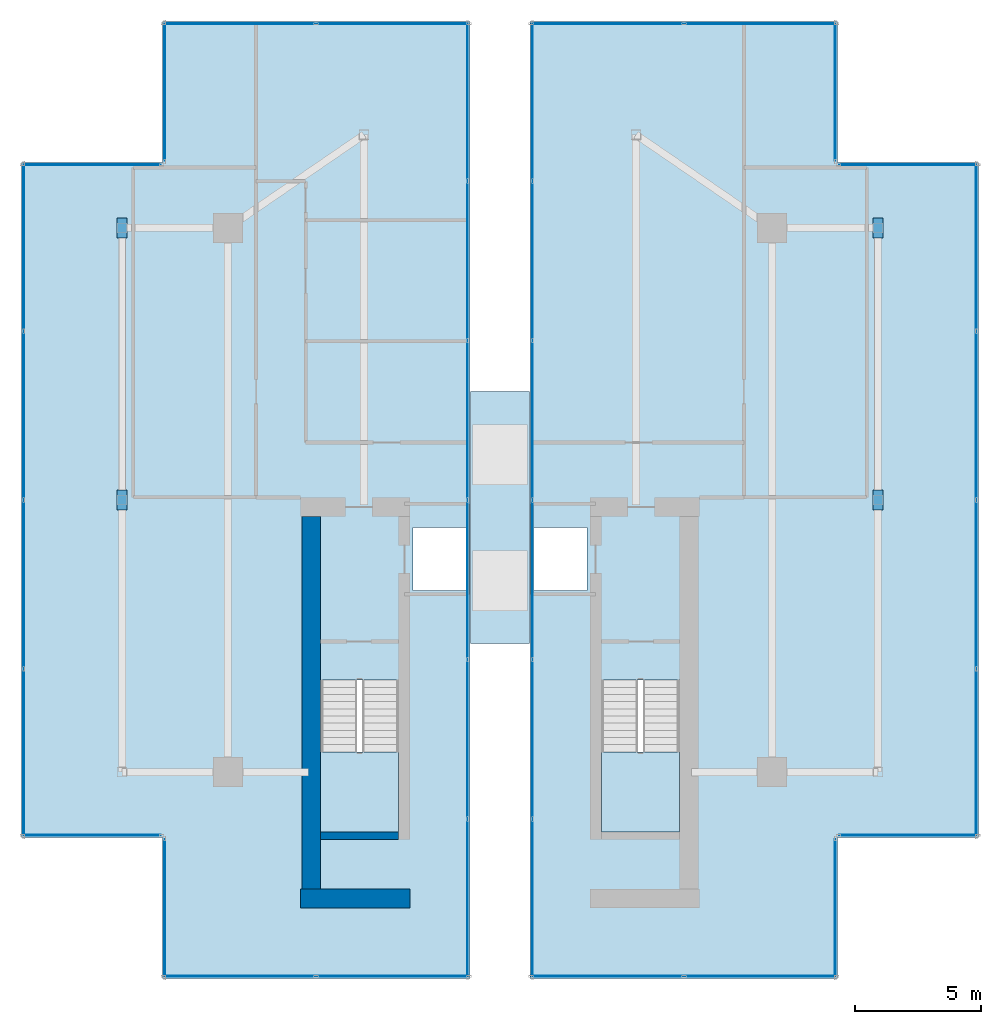
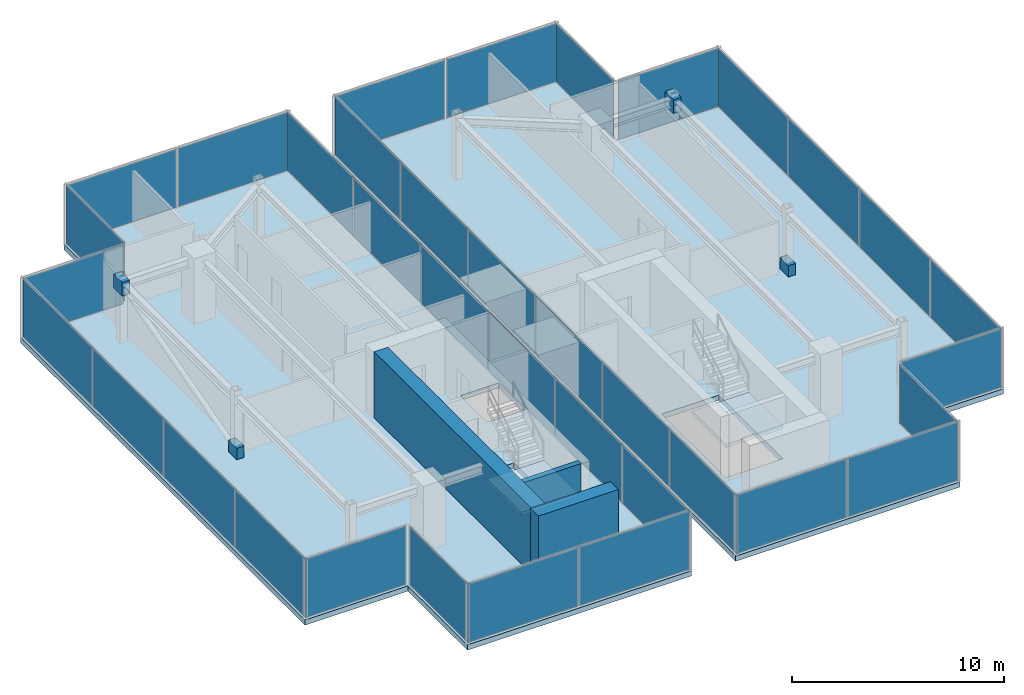
# One storey, part 22 of 25: 40 plates, 5 slabs, 3 walls, 18 elements without a shape of their own.
"""IFC4 building model written with IfcOpenShell, lengths in metres."""

from ifc_helpers import new_model, si_unit, direction, frame, frame_2d, origin, origin_2d, place, context, subcontext, project, spatial, polyline, rectangle, outline, extrude, source, transform, mapped, material, layer, layer_set, type_object, type_shapes, element, aggregate, save


model = new_model("IFC4")

# Units and contexts
model_context = context("Model", 3, precision=1e-05, world=origin(), true_north=direction((0.0, 1.0)))
body_context = subcontext(model_context, "Body", "Model", "MODEL_VIEW")
ifc_project = project(units=[si_unit("LENGTHUNIT", "METRE"), si_unit("AREAUNIT", "SQUARE_METRE"), si_unit("VOLUMEUNIT", "CUBIC_METRE"), si_unit("PLANEANGLEUNIT", "RADIAN"), si_unit("MASSUNIT", "GRAM", prefix="KILO")], contexts=[model_context])

# Site, building, storey
site_placement = place(None, origin())
site = spatial("IfcSite", under=ifc_project, at=site_placement, CompositionType="ELEMENT")
building_placement = place(site_placement, origin())
building = spatial("IfcBuilding", under=site, at=building_placement, Name="Krantzveldt Concourse Tower", CompositionType="ELEMENT")
storey_placement = place(building_placement, frame((0.0, 0.0, 367.050048828125)))
storey = spatial("IfcBuildingStorey", under=building, at=storey_placement, Name="L90", CompositionType="ELEMENT", Elevation=367.050048828125)

# Stair, slab
ifc_material_1 = material(Name="Precast concrete C40/50", Category="concrete")
stair_type = type_object("IfcStairType", Name="STR-CORE-DOGLEG", PredefinedType="HALF_TURN_STAIR", material=ifc_material_1)
stair_1_placement = place(storey_placement, origin())
stair_1 = element("IfcStair", 1, at=stair_1_placement, inside=storey, type_object=stair_type, Name="L90 Protected Escape Stair ST-1", PredefinedType="HALF_TURN_STAIR")
ifc_layer_1 = layer(ifc_material_1, 0.199951171875, Name="Precast concrete C40/50", Category="concrete")
ifc_layer_set_1 = layer_set([ifc_layer_1], Name="Precast concrete C40/50 (SL-LANDING-200)")
slab_type_1 = type_object("IfcSlabType", Name="SL-LANDING-200", PredefinedType="LANDING", material=ifc_layer_set_1)
slab_1_placement = place(storey_placement, frame((0.0, 0.0, 1.699951171875)))
slab_1 = element("IfcSlab", 2, at=slab_1_placement, type_object=slab_type_1, Name="ST-1 landing 1", PredefinedType="LANDING", context=body_context, shape_type="SweptSolid", body=[
    extrude(outline(polyline([(28.8798828125, 16.699951171875), (28.8798828125, 13.52001953125), (31.97998046875, 13.52001953125), (31.97998046875, 16.699951171875), (28.8798828125, 16.699951171875)])), origin(), (0.0, 0.0, 1.0), 0.199951171875),
])
aggregate(stair_1, [slab_1])

stair_2_placement = place(storey_placement, origin())
stair_2 = element("IfcStair", 3, at=stair_2_placement, inside=storey, type_object=stair_type, Name="L90 Protected Escape Stair ST-2", PredefinedType="HALF_TURN_STAIR")
slab_2_placement = place(storey_placement, frame((0.0, 0.0, 1.699951171875)))
slab_2 = element("IfcSlab", 4, at=slab_2_placement, type_object=slab_type_1, Name="ST-2 landing 1", PredefinedType="LANDING", context=body_context, shape_type="SweptSolid", body=[
    extrude(outline(polyline([(40.02001953125, 16.699951171875), (40.02001953125, 13.52001953125), (43.1201171875, 13.52001953125), (43.1201171875, 16.699951171875), (40.02001953125, 16.699951171875)])), origin(), (0.0, 0.0, 1.0), 0.199951171875),
])
aggregate(stair_2, [slab_2])

# Slabs
ifc_material_2 = material(Name="Concrete C40/50", Category="concrete")
ifc_layer_2 = layer(ifc_material_2, 0.300048828125, Name="Concrete C40/50", Category="concrete")
ifc_layer_set_2 = layer_set([ifc_layer_2], Name="Concrete C40/50 (SL-SL-CRN300)")
slab_type_2 = type_object("IfcSlabType", Name="SL-SL-CRN300", PredefinedType="FLOOR", material=ifc_layer_set_2)
slab_3_placement = place(storey_placement, frame((0.0, 0.0, -0.300048828125)))
element("IfcSlab", 5, at=slab_3_placement, inside=storey, type_object=slab_type_2, Name="SL-L90-WEST", PredefinedType="FLOOR", context=body_context, shape_type="SweptSolid", body=[
    extrude(outline(polyline([(22.60009765625, 7.699951171875), (34.800048828125, 7.699951171875), (34.800048828125, 45.699951171875), (22.60009765625, 45.699951171875), (22.60009765625, 40.10009765625), (17.0, 40.10009765625), (17.0, 13.300048828125), (22.60009765625, 13.300048828125), (22.60009765625, 7.699951171875)]), holes=[polyline([(28.8798828125, 19.547607421875), (28.8798828125, 13.52001953125), (31.97998046875, 13.52001953125), (31.97998046875, 19.547607421875), (28.8798828125, 19.547607421875)]), polyline([(32.550048828125, 23.10009765625), (34.64990234375, 23.10009765625), (34.64990234375, 25.60009765625), (32.550048828125, 25.60009765625), (32.550048828125, 23.10009765625)])]), origin(), (0.0, 0.0, 1.0), 0.300048828125),
])
slab_4_placement = place(storey_placement, frame((0.0, 0.0, -0.300048828125)))
element("IfcSlab", 6, at=slab_4_placement, inside=storey, type_object=slab_type_2, Name="SL-L90-EAST", PredefinedType="FLOOR", context=body_context, shape_type="SweptSolid", body=[
    extrude(outline(polyline([(37.199951171875, 7.699951171875), (49.39990234375, 7.699951171875), (49.39990234375, 13.300048828125), (55.0, 13.300048828125), (55.0, 40.10009765625), (49.39990234375, 40.10009765625), (49.39990234375, 45.699951171875), (37.199951171875, 45.699951171875), (37.199951171875, 7.699951171875)]), holes=[polyline([(40.02001953125, 19.547607421875), (40.02001953125, 13.52001953125), (43.1201171875, 13.52001953125), (43.1201171875, 19.547607421875), (40.02001953125, 19.547607421875)]), polyline([(37.35009765625, 23.10009765625), (39.449951171875, 23.10009765625), (39.449951171875, 25.60009765625), (37.35009765625, 25.60009765625), (37.35009765625, 23.10009765625)])]), origin(), (0.0, 0.0, 1.0), 0.300048828125),
])
slab_5_placement = place(storey_placement, frame((0.0, 0.0, -0.300048828125)))
element("IfcSlab", 7, at=slab_5_placement, inside=storey, type_object=slab_type_2, Name="SL-L90-TSLOT", PredefinedType="FLOOR", context=body_context, shape_type="SweptSolid", body=[
    extrude(outline(polyline([(34.820068359375, 21.0), (37.179931640625, 21.0), (37.179931640625, 31.0), (34.820068359375, 31.0), (34.820068359375, 21.0)])), origin(), (0.0, 0.0, 1.0), 0.300048828125),
])

# Plates
ifc_material_3 = material(Name="Steel S355J2", Category="steel")
ifc_layer_3 = layer(ifc_material_3, 0.0400390625, Name="Steel S355J2", Category="steel")
ifc_layer_set_3 = layer_set([ifc_layer_3], Name="Steel S355J2 (PL-GUSSET-40)")
plate_type_1 = type_object("IfcPlateType", Name="PL-GUSSET-40", PredefinedType="USERDEFINED", material=ifc_layer_set_3)
shared_shape_1 = source(origin(), body_context, "Body", "SweptSolid", [
    extrude(rectangle(XDim=0.39990234375, YDim=0.800048828125, at=origin_2d()), origin(), (0.0, 0.0, 1.0), 0.800048828125),
])
type_shapes(plate_type_1, [shared_shape_1])
for number, where, z_axis, x_axis, name in (
    (8, (21.0, 26.699951171875, -0.14990234375), (0.0, 0.0, 1.0), (1.0, 0.0, 0.0), "CBR-L90-WEST-GP1"),
    (9, (21.0, 37.5, 2.85009765625), (0.0, 0.0, 1.0), (1.0, 0.0, 0.0), "CBR-L90-WEST-GP2"),
    (10, (51.0, 26.699951171875, -0.14990234375), (0.0, 0.0, 1.0), (1.0, 0.0, 0.0), "CBR-L90-EAST-GP1"),
    (11, (51.0, 37.5, 2.85009765625), (0.0, 0.0, 1.0), (1.0, 0.0, 0.0), "CBR-L90-EAST-GP2"),
):
    element("IfcPlate", number, at=place(storey_placement, frame(where, z_axis=z_axis, x_axis=x_axis)), inside=storey, type_object=plate_type_1, Name=name, ObjectType="GUSSET PLATE", PredefinedType="USERDEFINED", context=body_context, shape_type="MappedRepresentation", body=[
        mapped(shared_shape_1, transform((0.0, 0.0, 0.0), x_axis=(1.0, 0.0, 0.0), y_axis=(0.0, 1.0, 0.0), z_axis=(0.0, 0.0, 1.0), scale=1.0)),
    ])

# Curtain wall, plate
ifc_material_4 = material(Name="Anodised aluminium 6063-T6", Category="aluminium")
curtain_wall_type = type_object("IfcCurtainWallType", Name="CW7", PredefinedType="USERDEFINED", material=ifc_material_4)
curtain_wall_1_placement = place(storey_placement, origin())
curtain_wall_1 = element("IfcCurtainWall", 12, at=curtain_wall_1_placement, inside=storey, type_object=curtain_wall_type, Name="CW-L90-WEST-03", ObjectType="UNITISED CURTAIN WALL", PredefinedType="USERDEFINED")
ifc_material_5 = material(Name="Bronze-tinted laminated low-E IGU glass", Category="glass")
ifc_layer_4 = layer(ifc_material_5, 0.031982421875, Name="Bronze-tinted laminated low-E IGU glass", Category="glass")
ifc_layer_set_4 = layer_set([ifc_layer_4], Name="Bronze-tinted laminated low-E IGU glass (CW-GLZ-32)")
plate_type_2 = type_object("IfcPlateType", Name="CW-GLZ-32", PredefinedType="CURTAIN_PANEL", material=ifc_layer_set_4)
shared_shape_2 = source(origin(), body_context, "Body", "SweptSolid", [
    extrude(rectangle(XDim=5.4599609375, YDim=0.031982421875, at=origin_2d()), origin(), (0.0, 0.0, 1.0), 3.360107421875),
])
plate_1_placement = place(storey_placement, frame((22.68994140625, 42.89990234375, 0.06982421875), z_axis=(0.0, 0.0, 1.0), x_axis=(0.0, -1.0, 0.0)))
plate_1 = element("IfcPlate", 13, at=plate_1_placement, type_object=plate_type_2, Name="CW-CRN panel 1.1", PredefinedType="CURTAIN_PANEL", context=body_context, shape_type="MappedRepresentation", body=[
    mapped(shared_shape_2, transform((0.0, 0.0, 0.0), x_axis=(1.0, 0.0, 0.0), y_axis=(0.0, 1.0, 0.0), z_axis=(0.0, 0.0, 1.0), scale=1.0)),
])
aggregate(curtain_wall_1, [plate_1])

curtain_wall_2_placement = place(storey_placement, origin())
curtain_wall_2 = element("IfcCurtainWall", 14, at=curtain_wall_2_placement, inside=storey, type_object=curtain_wall_type, Name="CW-L90-WEST-04", ObjectType="UNITISED CURTAIN WALL", PredefinedType="USERDEFINED")
plate_2_placement = place(storey_placement, frame((19.800048828125, 40.010009765625, 0.06982421875), z_axis=(0.0, 0.0, 1.0), x_axis=(-1.0, 0.0, 0.0)))
plate_2 = element("IfcPlate", 15, at=plate_2_placement, type_object=plate_type_2, Name="CW-CRN panel 1.1", PredefinedType="CURTAIN_PANEL", context=body_context, shape_type="MappedRepresentation", body=[
    mapped(shared_shape_2, transform((0.0, 0.0, 0.0), x_axis=(1.0, 0.0, 0.0), y_axis=(0.0, 1.0, 0.0), z_axis=(0.0, 0.0, 1.0), scale=1.0)),
])
aggregate(curtain_wall_2, [plate_2])

curtain_wall_3_placement = place(storey_placement, origin())
curtain_wall_3 = element("IfcCurtainWall", 16, at=curtain_wall_3_placement, inside=storey, type_object=curtain_wall_type, Name="CW-L90-WEST-06", ObjectType="UNITISED CURTAIN WALL", PredefinedType="USERDEFINED")
plate_3_placement = place(storey_placement, frame((19.800048828125, 13.389892578125, 0.06982421875), z_axis=(0.0, 0.0, 1.0), x_axis=(1.0, 0.0, 0.0)))
plate_3 = element("IfcPlate", 17, at=plate_3_placement, type_object=plate_type_2, Name="CW-CRN panel 1.1", PredefinedType="CURTAIN_PANEL", context=body_context, shape_type="MappedRepresentation", body=[
    mapped(shared_shape_2, transform((0.0, 0.0, 0.0), x_axis=(1.0, 0.0, 0.0), y_axis=(0.0, 1.0, 0.0), z_axis=(0.0, 0.0, 1.0), scale=1.0)),
])
aggregate(curtain_wall_3, [plate_3])

curtain_wall_4_placement = place(storey_placement, origin())
curtain_wall_4 = element("IfcCurtainWall", 18, at=curtain_wall_4_placement, inside=storey, type_object=curtain_wall_type, Name="CW-L90-WEST-07", ObjectType="UNITISED CURTAIN WALL", PredefinedType="USERDEFINED")
plate_4_placement = place(storey_placement, frame((22.68994140625, 10.5, 0.06982421875), z_axis=(0.0, 0.0, 1.0), x_axis=(0.0, -1.0, 0.0)))
plate_4 = element("IfcPlate", 19, at=plate_4_placement, type_object=plate_type_2, Name="CW-CRN panel 1.1", PredefinedType="CURTAIN_PANEL", context=body_context, shape_type="MappedRepresentation", body=[
    mapped(shared_shape_2, transform((0.0, 0.0, 0.0), x_axis=(1.0, 0.0, 0.0), y_axis=(0.0, 1.0, 0.0), z_axis=(0.0, 0.0, 1.0), scale=1.0)),
])
aggregate(curtain_wall_4, [plate_4])

curtain_wall_5_placement = place(storey_placement, origin())
curtain_wall_5 = element("IfcCurtainWall", 20, at=curtain_wall_5_placement, inside=storey, type_object=curtain_wall_type, Name="CW-L90-EAST-01", ObjectType="UNITISED CURTAIN WALL", PredefinedType="USERDEFINED")
plate_5_placement = place(storey_placement, frame((49.31005859375, 10.5, 0.06982421875), z_axis=(0.0, 0.0, 1.0), x_axis=(0.0, 1.0, 0.0)))
plate_5 = element("IfcPlate", 21, at=plate_5_placement, type_object=plate_type_2, Name="CW-CRN panel 1.1", PredefinedType="CURTAIN_PANEL", context=body_context, shape_type="MappedRepresentation", body=[
    mapped(shared_shape_2, transform((0.0, 0.0, 0.0), x_axis=(1.0, 0.0, 0.0), y_axis=(0.0, 1.0, 0.0), z_axis=(0.0, 0.0, 1.0), scale=1.0)),
])
aggregate(curtain_wall_5, [plate_5])

curtain_wall_6_placement = place(storey_placement, origin())
curtain_wall_6 = element("IfcCurtainWall", 22, at=curtain_wall_6_placement, inside=storey, type_object=curtain_wall_type, Name="CW-L90-EAST-02", ObjectType="UNITISED CURTAIN WALL", PredefinedType="USERDEFINED")
plate_6_placement = place(storey_placement, frame((52.199951171875, 13.389892578125, 0.06982421875), z_axis=(0.0, 0.0, 1.0), x_axis=(1.0, 0.0, 0.0)))
plate_6 = element("IfcPlate", 23, at=plate_6_placement, type_object=plate_type_2, Name="CW-CRN panel 1.1", PredefinedType="CURTAIN_PANEL", context=body_context, shape_type="MappedRepresentation", body=[
    mapped(shared_shape_2, transform((0.0, 0.0, 0.0), x_axis=(1.0, 0.0, 0.0), y_axis=(0.0, 1.0, 0.0), z_axis=(0.0, 0.0, 1.0), scale=1.0)),
])
aggregate(curtain_wall_6, [plate_6])

curtain_wall_7_placement = place(storey_placement, origin())
curtain_wall_7 = element("IfcCurtainWall", 24, at=curtain_wall_7_placement, inside=storey, type_object=curtain_wall_type, Name="CW-L90-EAST-04", ObjectType="UNITISED CURTAIN WALL", PredefinedType="USERDEFINED")
plate_7_placement = place(storey_placement, frame((52.199951171875, 40.010009765625, 0.06982421875), z_axis=(0.0, 0.0, 1.0), x_axis=(-1.0, 0.0, 0.0)))
plate_7 = element("IfcPlate", 25, at=plate_7_placement, type_object=plate_type_2, Name="CW-CRN panel 1.1", PredefinedType="CURTAIN_PANEL", context=body_context, shape_type="MappedRepresentation", body=[
    mapped(shared_shape_2, transform((0.0, 0.0, 0.0), x_axis=(1.0, 0.0, 0.0), y_axis=(0.0, 1.0, 0.0), z_axis=(0.0, 0.0, 1.0), scale=1.0)),
])
aggregate(curtain_wall_7, [plate_7])

curtain_wall_8_placement = place(storey_placement, origin())
curtain_wall_8 = element("IfcCurtainWall", 26, at=curtain_wall_8_placement, inside=storey, type_object=curtain_wall_type, Name="CW-L90-EAST-05", ObjectType="UNITISED CURTAIN WALL", PredefinedType="USERDEFINED")
plate_8_placement = place(storey_placement, frame((49.31005859375, 42.89990234375, 0.06982421875), z_axis=(0.0, 0.0, 1.0), x_axis=(0.0, 1.0, 0.0)))
plate_8 = element("IfcPlate", 27, at=plate_8_placement, type_object=plate_type_2, Name="CW-CRN panel 1.1", PredefinedType="CURTAIN_PANEL", context=body_context, shape_type="MappedRepresentation", body=[
    mapped(shared_shape_2, transform((0.0, 0.0, 0.0), x_axis=(1.0, 0.0, 0.0), y_axis=(0.0, 1.0, 0.0), z_axis=(0.0, 0.0, 1.0), scale=1.0)),
])
aggregate(curtain_wall_8, [plate_8])

# Curtain wall, plates
curtain_wall_9_placement = place(storey_placement, origin())
curtain_wall_9 = element("IfcCurtainWall", 28, at=curtain_wall_9_placement, inside=storey, type_object=curtain_wall_type, Name="CW-L90-WEST-05", ObjectType="UNITISED CURTAIN WALL", PredefinedType="USERDEFINED")
shared_shape_3 = source(origin(), body_context, "Body", "SweptSolid", [
    extrude(rectangle(XDim=6.594970703125, YDim=0.031982421875, at=origin_2d()), origin(), (0.0, 0.0, 1.0), 3.360107421875),
])
plate_9_placement = place(storey_placement, frame((17.090087890625, 36.732421875, 0.06982421875), z_axis=(0.0, 0.0, 1.0), x_axis=(0.0, -1.0, 0.0)))
plate_9 = element("IfcPlate", 29, at=plate_9_placement, type_object=plate_type_2, Name="CW-CRN panel 1.1", PredefinedType="CURTAIN_PANEL", context=body_context, shape_type="MappedRepresentation", body=[
    mapped(shared_shape_3, transform((0.0, 0.0, 0.0), x_axis=(1.0, 0.0, 0.0), y_axis=(0.0, 1.0, 0.0), z_axis=(0.0, 0.0, 1.0), scale=1.0)),
])
plate_10_placement = place(storey_placement, frame((17.090087890625, 16.66748046875, 0.06982421875), z_axis=(0.0, 0.0, 1.0), x_axis=(0.0, -1.0, 0.0)))
plate_10 = element("IfcPlate", 30, at=plate_10_placement, type_object=plate_type_2, Name="CW-CRN panel 4.1", PredefinedType="CURTAIN_PANEL", context=body_context, shape_type="MappedRepresentation", body=[
    mapped(shared_shape_3, transform((0.0, 0.0, 0.0), x_axis=(1.0, 0.0, 0.0), y_axis=(0.0, 1.0, 0.0), z_axis=(0.0, 0.0, 1.0), scale=1.0)),
])

curtain_wall_10_placement = place(storey_placement, origin())
curtain_wall_10 = element("IfcCurtainWall", 31, at=curtain_wall_10_placement, inside=storey, type_object=curtain_wall_type, Name="CW-L90-EAST-03", ObjectType="UNITISED CURTAIN WALL", PredefinedType="USERDEFINED")
plate_11_placement = place(storey_placement, frame((54.909912109375, 16.66748046875, 0.06982421875), z_axis=(0.0, 0.0, 1.0), x_axis=(0.0, 1.0, 0.0)))
plate_11 = element("IfcPlate", 32, at=plate_11_placement, type_object=plate_type_2, Name="CW-CRN panel 1.1", PredefinedType="CURTAIN_PANEL", context=body_context, shape_type="MappedRepresentation", body=[
    mapped(shared_shape_3, transform((0.0, 0.0, 0.0), x_axis=(1.0, 0.0, 0.0), y_axis=(0.0, 1.0, 0.0), z_axis=(0.0, 0.0, 1.0), scale=1.0)),
])
plate_12_placement = place(storey_placement, frame((54.909912109375, 36.732421875, 0.06982421875), z_axis=(0.0, 0.0, 1.0), x_axis=(0.0, 1.0, 0.0)))
plate_12 = element("IfcPlate", 33, at=plate_12_placement, type_object=plate_type_2, Name="CW-CRN panel 4.1", PredefinedType="CURTAIN_PANEL", context=body_context, shape_type="MappedRepresentation", body=[
    mapped(shared_shape_3, transform((0.0, 0.0, 0.0), x_axis=(1.0, 0.0, 0.0), y_axis=(0.0, 1.0, 0.0), z_axis=(0.0, 0.0, 1.0), scale=1.0)),
])

# Plate
shared_shape_4 = source(origin(), body_context, "Body", "SweptSolid", [
    extrude(rectangle(XDim=6.6298828125, YDim=0.031982421875, at=origin_2d()), origin(), (0.0, 0.0, 1.0), 3.360107421875),
])
plate_13_placement = place(storey_placement, frame((17.090087890625, 30.050048828125, 0.06982421875), z_axis=(0.0, 0.0, 1.0), x_axis=(0.0, -1.0, 0.0)))
plate_13 = element("IfcPlate", 34, at=plate_13_placement, type_object=plate_type_2, Name="CW-CRN panel 2.1", PredefinedType="CURTAIN_PANEL", context=body_context, shape_type="MappedRepresentation", body=[
    mapped(shared_shape_4, transform((0.0, 0.0, 0.0), x_axis=(1.0, 0.0, 0.0), y_axis=(0.0, 1.0, 0.0), z_axis=(0.0, 0.0, 1.0), scale=1.0)),
])

plate_14_placement = place(storey_placement, frame((17.090087890625, 23.35009765625, 0.06982421875), z_axis=(0.0, 0.0, 1.0), x_axis=(0.0, -1.0, 0.0)))
plate_14 = element("IfcPlate", 35, at=plate_14_placement, type_object=plate_type_2, Name="CW-CRN panel 3.1", PredefinedType="CURTAIN_PANEL", context=body_context, shape_type="MappedRepresentation", body=[
    mapped(shared_shape_4, transform((0.0, 0.0, 0.0), x_axis=(1.0, 0.0, 0.0), y_axis=(0.0, 1.0, 0.0), z_axis=(0.0, 0.0, 1.0), scale=1.0)),
])

aggregate(curtain_wall_9, [plate_9, plate_13, plate_14, plate_10])

plate_15_placement = place(storey_placement, frame((54.909912109375, 23.35009765625, 0.06982421875), z_axis=(0.0, 0.0, 1.0), x_axis=(0.0, 1.0, 0.0)))
plate_15 = element("IfcPlate", 36, at=plate_15_placement, type_object=plate_type_2, Name="CW-CRN panel 2.1", PredefinedType="CURTAIN_PANEL", context=body_context, shape_type="MappedRepresentation", body=[
    mapped(shared_shape_4, transform((0.0, 0.0, 0.0), x_axis=(1.0, 0.0, 0.0), y_axis=(0.0, 1.0, 0.0), z_axis=(0.0, 0.0, 1.0), scale=1.0)),
])

plate_16_placement = place(storey_placement, frame((54.909912109375, 30.050048828125, 0.06982421875), z_axis=(0.0, 0.0, 1.0), x_axis=(0.0, 1.0, 0.0)))
plate_16 = element("IfcPlate", 37, at=plate_16_placement, type_object=plate_type_2, Name="CW-CRN panel 3.1", PredefinedType="CURTAIN_PANEL", context=body_context, shape_type="MappedRepresentation", body=[
    mapped(shared_shape_4, transform((0.0, 0.0, 0.0), x_axis=(1.0, 0.0, 0.0), y_axis=(0.0, 1.0, 0.0), z_axis=(0.0, 0.0, 1.0), scale=1.0)),
])

aggregate(curtain_wall_10, [plate_11, plate_15, plate_16, plate_12])

# Curtain wall, plates
curtain_wall_11_placement = place(storey_placement, origin())
curtain_wall_11 = element("IfcCurtainWall", 38, at=curtain_wall_11_placement, inside=storey, type_object=curtain_wall_type, Name="CW-L90-WEST-00", ObjectType="UNITISED CURTAIN WALL", PredefinedType="USERDEFINED")
shared_shape_5 = source(origin(), body_context, "Body", "SweptSolid", [
    extrude(rectangle(XDim=5.9951171875, YDim=0.031982421875, at=origin_2d()), origin(), (0.0, 0.0, 1.0), 3.360107421875),
])
plate_17_placement = place(storey_placement, frame((25.66748046875, 7.7900390625, 0.06982421875), z_axis=(0.0, 0.0, 1.0), x_axis=(1.0, 0.0, 0.0)))
plate_17 = element("IfcPlate", 39, at=plate_17_placement, type_object=plate_type_2, Name="CW-CRN panel 1.1", PredefinedType="CURTAIN_PANEL", context=body_context, shape_type="MappedRepresentation", body=[
    mapped(shared_shape_5, transform((0.0, 0.0, 0.0), x_axis=(1.0, 0.0, 0.0), y_axis=(0.0, 1.0, 0.0), z_axis=(0.0, 0.0, 1.0), scale=1.0)),
])
plate_18_placement = place(storey_placement, frame((31.732421875, 7.7900390625, 0.06982421875), z_axis=(0.0, 0.0, 1.0), x_axis=(1.0, 0.0, 0.0)))
plate_18 = element("IfcPlate", 40, at=plate_18_placement, type_object=plate_type_2, Name="CW-CRN panel 2.1", PredefinedType="CURTAIN_PANEL", context=body_context, shape_type="MappedRepresentation", body=[
    mapped(shared_shape_5, transform((0.0, 0.0, 0.0), x_axis=(1.0, 0.0, 0.0), y_axis=(0.0, 1.0, 0.0), z_axis=(0.0, 0.0, 1.0), scale=1.0)),
])
aggregate(curtain_wall_11, [plate_17, plate_18])

curtain_wall_12_placement = place(storey_placement, origin())
curtain_wall_12 = element("IfcCurtainWall", 41, at=curtain_wall_12_placement, inside=storey, type_object=curtain_wall_type, Name="CW-L90-WEST-02", ObjectType="UNITISED CURTAIN WALL", PredefinedType="USERDEFINED")
plate_19_placement = place(storey_placement, frame((31.732421875, 45.610107421875, 0.06982421875), z_axis=(0.0, 0.0, 1.0), x_axis=(-1.0, 0.0, 0.0)))
plate_19 = element("IfcPlate", 42, at=plate_19_placement, type_object=plate_type_2, Name="CW-CRN panel 1.1", PredefinedType="CURTAIN_PANEL", context=body_context, shape_type="MappedRepresentation", body=[
    mapped(shared_shape_5, transform((0.0, 0.0, 0.0), x_axis=(1.0, 0.0, 0.0), y_axis=(0.0, 1.0, 0.0), z_axis=(0.0, 0.0, 1.0), scale=1.0)),
])
plate_20_placement = place(storey_placement, frame((25.66748046875, 45.610107421875, 0.06982421875), z_axis=(0.0, 0.0, 1.0), x_axis=(-1.0, 0.0, 0.0)))
plate_20 = element("IfcPlate", 43, at=plate_20_placement, type_object=plate_type_2, Name="CW-CRN panel 2.1", PredefinedType="CURTAIN_PANEL", context=body_context, shape_type="MappedRepresentation", body=[
    mapped(shared_shape_5, transform((0.0, 0.0, 0.0), x_axis=(1.0, 0.0, 0.0), y_axis=(0.0, 1.0, 0.0), z_axis=(0.0, 0.0, 1.0), scale=1.0)),
])
aggregate(curtain_wall_12, [plate_19, plate_20])

curtain_wall_13_placement = place(storey_placement, origin())
curtain_wall_13 = element("IfcCurtainWall", 44, at=curtain_wall_13_placement, inside=storey, type_object=curtain_wall_type, Name="CW-L90-EAST-00", ObjectType="UNITISED CURTAIN WALL", PredefinedType="USERDEFINED")
plate_21_placement = place(storey_placement, frame((40.267578125, 7.7900390625, 0.06982421875), z_axis=(0.0, 0.0, 1.0), x_axis=(1.0, 0.0, 0.0)))
plate_21 = element("IfcPlate", 45, at=plate_21_placement, type_object=plate_type_2, Name="CW-CRN panel 1.1", PredefinedType="CURTAIN_PANEL", context=body_context, shape_type="MappedRepresentation", body=[
    mapped(shared_shape_5, transform((0.0, 0.0, 0.0), x_axis=(1.0, 0.0, 0.0), y_axis=(0.0, 1.0, 0.0), z_axis=(0.0, 0.0, 1.0), scale=1.0)),
])
plate_22_placement = place(storey_placement, frame((46.33251953125, 7.7900390625, 0.06982421875), z_axis=(0.0, 0.0, 1.0), x_axis=(1.0, 0.0, 0.0)))
plate_22 = element("IfcPlate", 46, at=plate_22_placement, type_object=plate_type_2, Name="CW-CRN panel 2.1", PredefinedType="CURTAIN_PANEL", context=body_context, shape_type="MappedRepresentation", body=[
    mapped(shared_shape_5, transform((0.0, 0.0, 0.0), x_axis=(1.0, 0.0, 0.0), y_axis=(0.0, 1.0, 0.0), z_axis=(0.0, 0.0, 1.0), scale=1.0)),
])
aggregate(curtain_wall_13, [plate_21, plate_22])

curtain_wall_14_placement = place(storey_placement, origin())
curtain_wall_14 = element("IfcCurtainWall", 47, at=curtain_wall_14_placement, inside=storey, type_object=curtain_wall_type, Name="CW-L90-EAST-06", ObjectType="UNITISED CURTAIN WALL", PredefinedType="USERDEFINED")
plate_23_placement = place(storey_placement, frame((46.33251953125, 45.610107421875, 0.06982421875), z_axis=(0.0, 0.0, 1.0), x_axis=(-1.0, 0.0, 0.0)))
plate_23 = element("IfcPlate", 48, at=plate_23_placement, type_object=plate_type_2, Name="CW-CRN panel 1.1", PredefinedType="CURTAIN_PANEL", context=body_context, shape_type="MappedRepresentation", body=[
    mapped(shared_shape_5, transform((0.0, 0.0, 0.0), x_axis=(1.0, 0.0, 0.0), y_axis=(0.0, 1.0, 0.0), z_axis=(0.0, 0.0, 1.0), scale=1.0)),
])
plate_24_placement = place(storey_placement, frame((40.267578125, 45.610107421875, 0.06982421875), z_axis=(0.0, 0.0, 1.0), x_axis=(-1.0, 0.0, 0.0)))
plate_24 = element("IfcPlate", 49, at=plate_24_placement, type_object=plate_type_2, Name="CW-CRN panel 2.1", PredefinedType="CURTAIN_PANEL", context=body_context, shape_type="MappedRepresentation", body=[
    mapped(shared_shape_5, transform((0.0, 0.0, 0.0), x_axis=(1.0, 0.0, 0.0), y_axis=(0.0, 1.0, 0.0), z_axis=(0.0, 0.0, 1.0), scale=1.0)),
])
aggregate(curtain_wall_14, [plate_23, plate_24])

curtain_wall_15_placement = place(storey_placement, origin())
curtain_wall_15 = element("IfcCurtainWall", 50, at=curtain_wall_15_placement, inside=storey, type_object=curtain_wall_type, Name="CW-L90-WEST-01", ObjectType="UNITISED CURTAIN WALL", PredefinedType="USERDEFINED")
shared_shape_6 = source(origin(), body_context, "Body", "SweptSolid", [
    extrude(rectangle(XDim=6.228271484375, YDim=0.031982421875, at=origin_2d()), origin(), (0.0, 0.0, 1.0), 3.360107421875),
])
plate_25_placement = place(storey_placement, frame((34.7099609375, 10.88427734375, 0.06982421875), z_axis=(0.0, 0.0, 1.0), x_axis=(0.0, 1.0, 0.0)))
plate_25 = element("IfcPlate", 51, at=plate_25_placement, type_object=plate_type_2, Name="CW-CRN panel 1.1", PredefinedType="CURTAIN_PANEL", context=body_context, shape_type="MappedRepresentation", body=[
    mapped(shared_shape_6, transform((0.0, 0.0, 0.0), x_axis=(1.0, 0.0, 0.0), y_axis=(0.0, 1.0, 0.0), z_axis=(0.0, 0.0, 1.0), scale=1.0)),
])
plate_26_placement = place(storey_placement, frame((34.7099609375, 42.515869140625, 0.06982421875), z_axis=(0.0, 0.0, 1.0), x_axis=(0.0, 1.0, 0.0)))
plate_26 = element("IfcPlate", 52, at=plate_26_placement, type_object=plate_type_2, Name="CW-CRN panel 6.1", PredefinedType="CURTAIN_PANEL", context=body_context, shape_type="MappedRepresentation", body=[
    mapped(shared_shape_6, transform((0.0, 0.0, 0.0), x_axis=(1.0, 0.0, 0.0), y_axis=(0.0, 1.0, 0.0), z_axis=(0.0, 0.0, 1.0), scale=1.0)),
])

curtain_wall_16_placement = place(storey_placement, origin())
curtain_wall_16 = element("IfcCurtainWall", 53, at=curtain_wall_16_placement, inside=storey, type_object=curtain_wall_type, Name="CW-L90-EAST-07", ObjectType="UNITISED CURTAIN WALL", PredefinedType="USERDEFINED")
plate_27_placement = place(storey_placement, frame((37.2900390625, 42.515869140625, 0.06982421875), z_axis=(0.0, 0.0, 1.0), x_axis=(0.0, -1.0, 0.0)))
plate_27 = element("IfcPlate", 54, at=plate_27_placement, type_object=plate_type_2, Name="CW-CRN panel 1.1", PredefinedType="CURTAIN_PANEL", context=body_context, shape_type="MappedRepresentation", body=[
    mapped(shared_shape_6, transform((0.0, 0.0, 0.0), x_axis=(1.0, 0.0, 0.0), y_axis=(0.0, 1.0, 0.0), z_axis=(0.0, 0.0, 1.0), scale=1.0)),
])
plate_28_placement = place(storey_placement, frame((37.2900390625, 10.88427734375, 0.06982421875), z_axis=(0.0, 0.0, 1.0), x_axis=(0.0, -1.0, 0.0)))
plate_28 = element("IfcPlate", 55, at=plate_28_placement, type_object=plate_type_2, Name="CW-CRN panel 6.1", PredefinedType="CURTAIN_PANEL", context=body_context, shape_type="MappedRepresentation", body=[
    mapped(shared_shape_6, transform((0.0, 0.0, 0.0), x_axis=(1.0, 0.0, 0.0), y_axis=(0.0, 1.0, 0.0), z_axis=(0.0, 0.0, 1.0), scale=1.0)),
])

# Plate
shared_shape_7 = source(origin(), body_context, "Body", "SweptSolid", [
    extrude(rectangle(XDim=6.263427734375, YDim=0.031982421875, at=origin_2d()), origin(), (0.0, 0.0, 1.0), 3.360107421875),
])
type_shapes(plate_type_2, [shared_shape_2, shared_shape_3, shared_shape_4, shared_shape_5, shared_shape_6, shared_shape_7])
plate_29_placement = place(storey_placement, frame((34.7099609375, 17.199951171875, 0.06982421875), z_axis=(0.0, 0.0, 1.0), x_axis=(0.0, 1.0, 0.0)))
plate_29 = element("IfcPlate", 56, at=plate_29_placement, type_object=plate_type_2, Name="CW-CRN panel 2.1", PredefinedType="CURTAIN_PANEL", context=body_context, shape_type="MappedRepresentation", body=[
    mapped(shared_shape_7, transform((0.0, 0.0, 0.0), x_axis=(1.0, 0.0, 0.0), y_axis=(0.0, 1.0, 0.0), z_axis=(0.0, 0.0, 1.0), scale=1.0)),
])

plate_30_placement = place(storey_placement, frame((34.7099609375, 23.533447265625, 0.06982421875), z_axis=(0.0, 0.0, 1.0), x_axis=(0.0, 1.0, 0.0)))
plate_30 = element("IfcPlate", 57, at=plate_30_placement, type_object=plate_type_2, Name="CW-CRN panel 3.1", PredefinedType="CURTAIN_PANEL", context=body_context, shape_type="MappedRepresentation", body=[
    mapped(shared_shape_7, transform((0.0, 0.0, 0.0), x_axis=(1.0, 0.0, 0.0), y_axis=(0.0, 1.0, 0.0), z_axis=(0.0, 0.0, 1.0), scale=1.0)),
])

plate_31_placement = place(storey_placement, frame((34.7099609375, 29.86669921875, 0.06982421875), z_axis=(0.0, 0.0, 1.0), x_axis=(0.0, 1.0, 0.0)))
plate_31 = element("IfcPlate", 58, at=plate_31_placement, type_object=plate_type_2, Name="CW-CRN panel 4.1", PredefinedType="CURTAIN_PANEL", context=body_context, shape_type="MappedRepresentation", body=[
    mapped(shared_shape_7, transform((0.0, 0.0, 0.0), x_axis=(1.0, 0.0, 0.0), y_axis=(0.0, 1.0, 0.0), z_axis=(0.0, 0.0, 1.0), scale=1.0)),
])

plate_32_placement = place(storey_placement, frame((34.7099609375, 36.199951171875, 0.06982421875), z_axis=(0.0, 0.0, 1.0), x_axis=(0.0, 1.0, 0.0)))
plate_32 = element("IfcPlate", 59, at=plate_32_placement, type_object=plate_type_2, Name="CW-CRN panel 5.1", PredefinedType="CURTAIN_PANEL", context=body_context, shape_type="MappedRepresentation", body=[
    mapped(shared_shape_7, transform((0.0, 0.0, 0.0), x_axis=(1.0, 0.0, 0.0), y_axis=(0.0, 1.0, 0.0), z_axis=(0.0, 0.0, 1.0), scale=1.0)),
])

aggregate(curtain_wall_15, [plate_25, plate_29, plate_30, plate_31, plate_32, plate_26])

plate_33_placement = place(storey_placement, frame((37.2900390625, 36.199951171875, 0.06982421875), z_axis=(0.0, 0.0, 1.0), x_axis=(0.0, -1.0, 0.0)))
plate_33 = element("IfcPlate", 60, at=plate_33_placement, type_object=plate_type_2, Name="CW-CRN panel 2.1", PredefinedType="CURTAIN_PANEL", context=body_context, shape_type="MappedRepresentation", body=[
    mapped(shared_shape_7, transform((0.0, 0.0, 0.0), x_axis=(1.0, 0.0, 0.0), y_axis=(0.0, 1.0, 0.0), z_axis=(0.0, 0.0, 1.0), scale=1.0)),
])

plate_34_placement = place(storey_placement, frame((37.2900390625, 29.86669921875, 0.06982421875), z_axis=(0.0, 0.0, 1.0), x_axis=(0.0, -1.0, 0.0)))
plate_34 = element("IfcPlate", 61, at=plate_34_placement, type_object=plate_type_2, Name="CW-CRN panel 3.1", PredefinedType="CURTAIN_PANEL", context=body_context, shape_type="MappedRepresentation", body=[
    mapped(shared_shape_7, transform((0.0, 0.0, 0.0), x_axis=(1.0, 0.0, 0.0), y_axis=(0.0, 1.0, 0.0), z_axis=(0.0, 0.0, 1.0), scale=1.0)),
])

plate_35_placement = place(storey_placement, frame((37.2900390625, 23.533447265625, 0.06982421875), z_axis=(0.0, 0.0, 1.0), x_axis=(0.0, -1.0, 0.0)))
plate_35 = element("IfcPlate", 62, at=plate_35_placement, type_object=plate_type_2, Name="CW-CRN panel 4.1", PredefinedType="CURTAIN_PANEL", context=body_context, shape_type="MappedRepresentation", body=[
    mapped(shared_shape_7, transform((0.0, 0.0, 0.0), x_axis=(1.0, 0.0, 0.0), y_axis=(0.0, 1.0, 0.0), z_axis=(0.0, 0.0, 1.0), scale=1.0)),
])

plate_36_placement = place(storey_placement, frame((37.2900390625, 17.199951171875, 0.06982421875), z_axis=(0.0, 0.0, 1.0), x_axis=(0.0, -1.0, 0.0)))
plate_36 = element("IfcPlate", 63, at=plate_36_placement, type_object=plate_type_2, Name="CW-CRN panel 5.1", PredefinedType="CURTAIN_PANEL", context=body_context, shape_type="MappedRepresentation", body=[
    mapped(shared_shape_7, transform((0.0, 0.0, 0.0), x_axis=(1.0, 0.0, 0.0), y_axis=(0.0, 1.0, 0.0), z_axis=(0.0, 0.0, 1.0), scale=1.0)),
])

aggregate(curtain_wall_16, [plate_27, plate_33, plate_34, plate_35, plate_36, plate_28])

# Walls
ifc_material_6 = material(Name="Concrete C50/60", Category="concrete")
ifc_layer_5 = layer(ifc_material_6, 0.300048828125, Name="Concrete C50/60", Category="concrete")
ifc_layer_set_5 = layer_set([ifc_layer_5], Name="Concrete C50/60 (WL-SHEAR-300)")
wall_type_1 = type_object("IfcWallType", Name="WL-SHEAR-300", PredefinedType="SHEAR", material=ifc_layer_set_5)
wall_1_placement = place(storey_placement, frame((28.8798828125, 13.3701171875, 0.0), z_axis=(0.0, 0.0, 1.0), x_axis=(1.0, 0.0, 0.0)))
element("IfcWall", 64, at=wall_1_placement, inside=storey, type_object=wall_type_1, Name="CW-L90-ST1S", PredefinedType="SHEAR", context=body_context, shape_type="SweptSolid", body=[
    extrude(rectangle(XDim=3.10009765625, YDim=0.300048828125, at=frame_2d((1.550048828125, 0.0))), origin(), (0.0, 0.0, 1.0), 3.800048828125),
])
ifc_material_7 = material(Name="Concrete C60/75", Category="concrete")
ifc_layer_6 = layer(ifc_material_7, 0.75, Name="Concrete C60/75", Category="concrete")
ifc_layer_set_6 = layer_set([ifc_layer_6], Name="Concrete C60/75 (WL-SHEAR-750)")
wall_type_2 = type_object("IfcWallType", Name="WL-SHEAR-750", PredefinedType="SHEAR", material=ifc_layer_set_6)
wall_2_placement = place(storey_placement, frame((28.080078125, 10.875, 0.0), z_axis=(0.0, 0.0, 1.0), x_axis=(1.0, 0.0, 0.0)))
element("IfcWall", 65, at=wall_2_placement, inside=storey, type_object=wall_type_2, Name="CW-L90-WC-S", PredefinedType="SHEAR", context=body_context, shape_type="SweptSolid", body=[
    extrude(rectangle(XDim=4.349853515625, YDim=0.75, at=frame_2d((2.1748046875, 0.0))), origin(), (0.0, 0.0, 1.0), 3.800048828125),
])
wall_3_placement = place(storey_placement, frame((28.5048828125, 11.25, 0.0), z_axis=(0.0, 0.0, 1.0), x_axis=(0.0, 1.0, 0.0)))
element("IfcWall", 66, at=wall_3_placement, inside=storey, type_object=wall_type_2, Name="CW-L90-WC-W", PredefinedType="SHEAR", context=body_context, shape_type="SweptSolid", body=[
    extrude(rectangle(XDim=14.800048828125, YDim=0.75, at=frame_2d((7.39990234375, 0.0))), origin(), (0.0, 0.0, 1.0), 3.800048828125),
])

save(model, "model.ifc")
